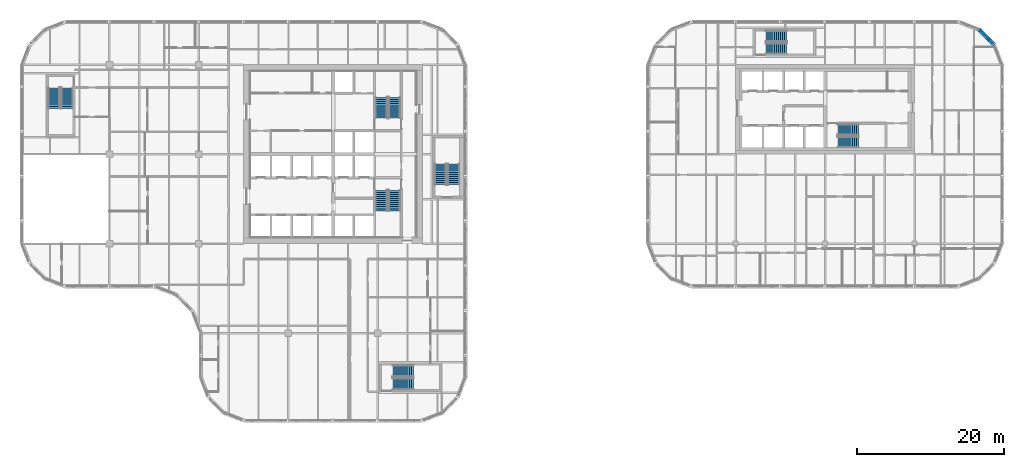
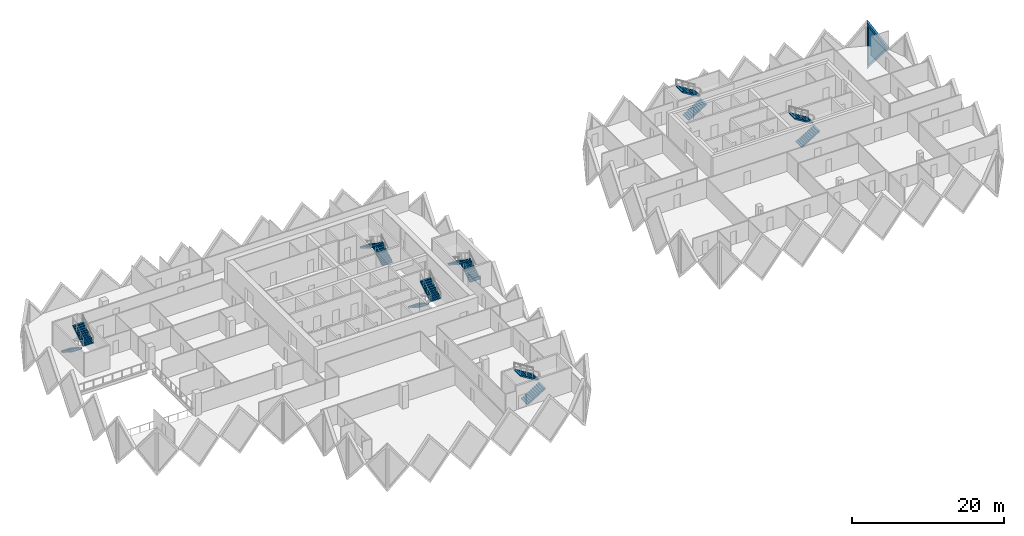
# One storey, part 17 of 19: 14 stair flights, 1 plate, 1 wall, 1 opening, 7 elements without a shape of their own.
"""IFC4 building model written with IfcOpenShell, lengths in metres."""

from ifc_helpers import new_model, si_unit, direction, frame, origin, place, context, subcontext, project, spatial, polyline, outline, extrude, faceted_brep, source, transform, mapped, material, layer, layer_set, type_object, element, fill, aggregate, save


model = new_model("IFC4")

# Units and contexts
model_context = context("Model", 3, precision=1e-05, world=origin(), true_north=direction((0.0, 1.0)))
body_context = subcontext(model_context, "Body", "Model", "MODEL_VIEW")
ifc_project = project(units=[si_unit("LENGTHUNIT", "METRE"), si_unit("AREAUNIT", "SQUARE_METRE"), si_unit("VOLUMEUNIT", "CUBIC_METRE"), si_unit("PLANEANGLEUNIT", "RADIAN"), si_unit("MASSUNIT", "GRAM", prefix="KILO")], contexts=[model_context])

# Site, building, storey
site_placement = place(None, origin())
site = spatial("IfcSite", under=ifc_project, at=site_placement, CompositionType="ELEMENT")
building_placement = place(site_placement, origin())
building = spatial("IfcBuilding", under=site, at=building_placement, Name="Tessera Gate Towers", CompositionType="ELEMENT")
storey_placement = place(building_placement, frame((0.0, 0.0, 72.39990234375)))
storey = spatial("IfcBuildingStorey", under=building, at=storey_placement, Name="L17", CompositionType="ELEMENT", Elevation=72.39990234375)

# Wall, opening, plate
ifc_material_1 = material(Name="Precast concrete C60/75 white", Category="concrete")
ifc_layer_1 = layer(ifc_material_1, 0.5)
ifc_layer_set_1 = layer_set([ifc_layer_1], Name="TS3 corner tessera")
wall_type = type_object("IfcWallType", Name="TS3 corner tessera", PredefinedType="SOLIDWALL", material=ifc_layer_set_1)
shared_shape_1 = source(origin(), body_context, "Body", "Brep", [
    faceted_brep([(2.944091796875, -0.25, 0.0), (2.9970703125, -0.25, 0.068115234375), (2.9970703125, -0.25, 7.53173828125), (2.944091796875, -0.25, 7.599853515625), (0.0, -0.25, 3.7998046875), (0.052978515625, 0.25, 3.8681640625), (2.89111328125, 0.25, 7.53173828125), (2.89111328125, 0.25, 0.068115234375), (0.052978515625, 0.25, 3.7314453125), (2.944091796875, 0.000244140625, 0.0), (2.944091796875, 0.000244140625, 7.599853515625), (0.0, 0.0, 3.7998046875)], [[[0, 1, 2, 3, 4]], [[5, 6, 7, 8]], [[1, 0, 9]], [[10, 3, 2]], [[6, 5, 11, 4, 3, 10]], [[8, 7, 9, 0, 4, 11]], [[8, 11, 5]], [[1, 9, 7, 6, 10, 2]]]),
])
wall_placement = place(storey_placement, frame((132.88818359375, 51.50634765625, -3.7998046875), z_axis=(0.0, 0.0, 1.0), x_axis=(-0.707147509625, 0.707066050402, 0.0)))
wall = element("IfcWall", 1, at=wall_placement, inside=storey, type_object=wall_type, Name="Precast corner tessera T2 TS3-0247", PredefinedType="SOLIDWALL", context=body_context, shape_type="MappedRepresentation", body=[
    mapped(shared_shape_1, transform((0.0, 0.0, 0.0), scale=1.0)),
])
shared_shape_2 = source(origin(), body_context, "Body", "SweptSolid", [
    extrude(outline(polyline([(2.744140625, 6.93359375), (0.316162109375, 3.7998046875), (2.744140625, 0.666259765625), (2.744140625, 6.93359375)])), frame((0.0, 0.260009765625, 0.0), z_axis=(0.0, -1.0, 0.0), x_axis=(1.0, 0.0, 0.0)), (0.0, 0.0, 1.0), 0.52001953125),
])
opening_placement = place(wall_placement, origin())
opening = element("IfcOpeningElement", 2, at=opening_placement, cuts=wall, Name="Opening T2-PL2-0355", PredefinedType="OPENING", context=body_context, shape_type="MappedRepresentation", body=[
    mapped(shared_shape_2, transform((0.0, 0.0, 0.0), scale=1.0)),
])
ifc_material_2 = material(Name="Low-e laminated glass", Category="glass")
ifc_layer_2 = layer(ifc_material_2, 0.06005859375)
ifc_layer_set_2 = layer_set([ifc_layer_2], Name="PL2 rhombic pane")
plate_type = type_object("IfcPlateType", Name="PL2 rhombic pane", PredefinedType="SHEET", material=ifc_layer_set_2)
shared_shape_3 = source(origin(), body_context, "Body", "SweptSolid", [
    extrude(outline(polyline([(2.744140625, 6.93359375), (0.316162109375, 3.7998046875), (2.744140625, 0.666259765625), (2.744140625, 6.93359375)])), frame((0.0, 0.030029296875, 0.0), z_axis=(0.0, -1.0, 0.0), x_axis=(1.0, 0.0, 0.0)), (0.0, 0.0, 1.0), 0.06005859375),
])
plate_placement = place(opening_placement, origin())
plate = element("IfcPlate", 3, at=plate_placement, inside=storey, type_object=plate_type, Name="Glass pane T2 PL2-0355", PredefinedType="SHEET", context=body_context, shape_type="MappedRepresentation", body=[
    mapped(shared_shape_3, transform((0.0, 0.0, 0.0), scale=1.0)),
])
fill(opening, plate)

# Stair, stair flights
ifc_material_3 = material(Name="Concrete C40/50", Category="concrete")
stair_type_1 = type_object("IfcStairType", Name="EXIT STAIR ST1 1600", PredefinedType="HALF_TURN_STAIR", material=ifc_material_3)
stair_1_placement = place(storey_placement, origin())
stair_1 = element("IfcStair", 4, at=stair_1_placement, inside=storey, type_object=stair_type_1, Name="L17 Protected Exit Stair ST1", PredefinedType="HALF_TURN_STAIR")
ifc_material_4 = material(Name="Concrete C40/50", Category="concrete")
stair_flight_type_1 = type_object("IfcStairFlightType", Name="EXIT STAIR FLIGHT ST1 1600", PredefinedType="STRAIGHT", material=ifc_material_4)
stair_flight_1_placement = place(storey_placement, frame((49.27490234375, 31.675048828125, 0.0), z_axis=(0.0, 0.0, 1.0), x_axis=(0.0, -1.0, 0.0)))
stair_flight_1 = element("IfcStairFlight", 5, at=stair_flight_1_placement, type_object=stair_flight_type_1, Name="ST1 flight 1", NumberOfRisers=11, NumberOfTreads=10, PredefinedType="STRAIGHT", RiserHeight=0.172727273, TreadLength=0.28, context=body_context, shape_type="SweptSolid", body=[
    extrude(outline(polyline([(0.0, 0.0), (0.0, 0.172607421875), (0.280029296875, 0.172607421875), (0.280029296875, 0.345458984375), (0.56005859375, 0.345458984375), (0.56005859375, 0.51806640625), (0.840087890625, 0.51806640625), (0.840087890625, 0.69091796875), (1.1201171875, 0.69091796875), (1.1201171875, 0.863525390625), (1.39990234375, 0.863525390625), (1.39990234375, 1.036376953125), (1.679931640625, 1.036376953125), (1.679931640625, 1.208984375), (1.9599609375, 1.208984375), (1.9599609375, 1.3818359375), (2.239990234375, 1.3818359375), (2.239990234375, 1.554443359375), (2.52001953125, 1.554443359375), (2.52001953125, 1.727294921875), (2.800048828125, 1.727294921875), (2.800048828125, 1.89990234375), (2.800048828125, 1.551025390625), (0.285400390625, 0.0), (0.0, 0.0)])), frame((0.0, 0.800048828125, 0.0), z_axis=(0.0, -1.0, 0.0), x_axis=(1.0, 0.0, 0.0)), (0.0, 0.0, 1.0), 1.60009765625),
])
stair_flight_2_placement = place(storey_placement, frame((51.074951171875, 28.875, 1.900146484375), z_axis=(0.0, 0.0, 1.0), x_axis=(0.0, 1.0, 0.0)))
stair_flight_2 = element("IfcStairFlight", 6, at=stair_flight_2_placement, type_object=stair_flight_type_1, Name="ST1 flight 2", NumberOfRisers=11, NumberOfTreads=10, PredefinedType="STRAIGHT", RiserHeight=0.172727273, TreadLength=0.28, context=body_context, shape_type="SweptSolid", body=[
    extrude(outline(polyline([(0.0, 0.0), (0.0, 0.172607421875), (0.280029296875, 0.172607421875), (0.280029296875, 0.345458984375), (0.56005859375, 0.345458984375), (0.56005859375, 0.51806640625), (0.840087890625, 0.51806640625), (0.840087890625, 0.69091796875), (1.1201171875, 0.69091796875), (1.1201171875, 0.863525390625), (1.39990234375, 0.863525390625), (1.39990234375, 1.036376953125), (1.679931640625, 1.036376953125), (1.679931640625, 1.208984375), (1.9599609375, 1.208984375), (1.9599609375, 1.3818359375), (2.239990234375, 1.3818359375), (2.239990234375, 1.554443359375), (2.52001953125, 1.554443359375), (2.52001953125, 1.727294921875), (2.800048828125, 1.727294921875), (2.800048828125, 1.89990234375), (2.800048828125, 1.551025390625), (0.285400390625, 0.0), (0.0, 0.0)])), frame((0.0, 0.800048828125, 0.0), z_axis=(0.0, -1.0, 0.0), x_axis=(1.0, 0.0, 0.0)), (0.0, 0.0, 1.0), 1.60009765625),
])
aggregate(stair_1, [stair_flight_1, stair_flight_2])

ifc_material_5 = material(Name="Concrete C40/50", Category="concrete")
stair_type_2 = type_object("IfcStairType", Name="EXIT STAIR ST2 1600", PredefinedType="HALF_TURN_STAIR", material=ifc_material_5)
stair_2_placement = place(storey_placement, origin())
stair_2 = element("IfcStair", 7, at=stair_2_placement, inside=storey, type_object=stair_type_2, Name="L17 Protected Exit Stair ST2", PredefinedType="HALF_TURN_STAIR")
ifc_material_6 = material(Name="Concrete C40/50", Category="concrete")
stair_flight_type_2 = type_object("IfcStairFlightType", Name="EXIT STAIR FLIGHT ST2 1600", PredefinedType="STRAIGHT", material=ifc_material_6)
stair_flight_3_placement = place(storey_placement, frame((51.074951171875, 41.52490234375, 0.0), z_axis=(0.0, 0.0, 1.0), x_axis=(0.0, 1.0, 0.0)))
stair_flight_3 = element("IfcStairFlight", 8, at=stair_flight_3_placement, type_object=stair_flight_type_2, Name="ST2 flight 1", NumberOfRisers=11, NumberOfTreads=10, PredefinedType="STRAIGHT", RiserHeight=0.172727273, TreadLength=0.28, context=body_context, shape_type="SweptSolid", body=[
    extrude(outline(polyline([(0.0, 0.0), (0.0, 0.172607421875), (0.280029296875, 0.172607421875), (0.280029296875, 0.345458984375), (0.56005859375, 0.345458984375), (0.56005859375, 0.51806640625), (0.840087890625, 0.51806640625), (0.840087890625, 0.69091796875), (1.1201171875, 0.69091796875), (1.1201171875, 0.863525390625), (1.39990234375, 0.863525390625), (1.39990234375, 1.036376953125), (1.679931640625, 1.036376953125), (1.679931640625, 1.208984375), (1.9599609375, 1.208984375), (1.9599609375, 1.3818359375), (2.239990234375, 1.3818359375), (2.239990234375, 1.554443359375), (2.52001953125, 1.554443359375), (2.52001953125, 1.727294921875), (2.800048828125, 1.727294921875), (2.800048828125, 1.89990234375), (2.800048828125, 1.551025390625), (0.285400390625, 0.0), (0.0, 0.0)])), frame((0.0, 0.800048828125, 0.0), z_axis=(0.0, -1.0, 0.0), x_axis=(1.0, 0.0, 0.0)), (0.0, 0.0, 1.0), 1.60009765625),
])
stair_flight_4_placement = place(storey_placement, frame((49.27490234375, 44.324951171875, 1.900146484375), z_axis=(0.0, 0.0, 1.0), x_axis=(0.0, -1.0, 0.0)))
stair_flight_4 = element("IfcStairFlight", 9, at=stair_flight_4_placement, type_object=stair_flight_type_2, Name="ST2 flight 2", NumberOfRisers=11, NumberOfTreads=10, PredefinedType="STRAIGHT", RiserHeight=0.172727273, TreadLength=0.28, context=body_context, shape_type="SweptSolid", body=[
    extrude(outline(polyline([(0.0, 0.0), (0.0, 0.172607421875), (0.280029296875, 0.172607421875), (0.280029296875, 0.345458984375), (0.56005859375, 0.345458984375), (0.56005859375, 0.51806640625), (0.840087890625, 0.51806640625), (0.840087890625, 0.69091796875), (1.1201171875, 0.69091796875), (1.1201171875, 0.863525390625), (1.39990234375, 0.863525390625), (1.39990234375, 1.036376953125), (1.679931640625, 1.036376953125), (1.679931640625, 1.208984375), (1.9599609375, 1.208984375), (1.9599609375, 1.3818359375), (2.239990234375, 1.3818359375), (2.239990234375, 1.554443359375), (2.52001953125, 1.554443359375), (2.52001953125, 1.727294921875), (2.800048828125, 1.727294921875), (2.800048828125, 1.89990234375), (2.800048828125, 1.551025390625), (0.285400390625, 0.0), (0.0, 0.0)])), frame((0.0, 0.800048828125, 0.0), z_axis=(0.0, -1.0, 0.0), x_axis=(1.0, 0.0, 0.0)), (0.0, 0.0, 1.0), 1.60009765625),
])
aggregate(stair_2, [stair_flight_3, stair_flight_4])

ifc_material_7 = material(Name="Concrete C40/50", Category="concrete")
stair_type_3 = type_object("IfcStairType", Name="EXIT STAIR ST3 1600", PredefinedType="HALF_TURN_STAIR", material=ifc_material_7)
stair_3_placement = place(storey_placement, origin())
stair_3 = element("IfcStair", 10, at=stair_3_placement, inside=storey, type_object=stair_type_3, Name="L17 West Exit Stair ST3", PredefinedType="HALF_TURN_STAIR")
ifc_material_8 = material(Name="Concrete C40/50", Category="concrete")
stair_flight_type_3 = type_object("IfcStairFlightType", Name="EXIT STAIR FLIGHT ST3 1600", PredefinedType="STRAIGHT", material=ifc_material_8)
stair_flight_5_placement = place(storey_placement, frame((4.64990234375, 45.64990234375, 0.0), z_axis=(0.0, 0.0, 1.0), x_axis=(0.0, -1.0, 0.0)))
stair_flight_5 = element("IfcStairFlight", 11, at=stair_flight_5_placement, type_object=stair_flight_type_3, Name="ST3 flight 1", NumberOfRisers=11, NumberOfTreads=10, PredefinedType="STRAIGHT", RiserHeight=0.172727273, TreadLength=0.28, context=body_context, shape_type="SweptSolid", body=[
    extrude(outline(polyline([(0.0, 0.0), (0.0, 0.172607421875), (0.280029296875, 0.172607421875), (0.280029296875, 0.345458984375), (0.56005859375, 0.345458984375), (0.56005859375, 0.51806640625), (0.840087890625, 0.51806640625), (0.840087890625, 0.69091796875), (1.1201171875, 0.69091796875), (1.1201171875, 0.863525390625), (1.39990234375, 0.863525390625), (1.39990234375, 1.036376953125), (1.679931640625, 1.036376953125), (1.679931640625, 1.208984375), (1.9599609375, 1.208984375), (1.9599609375, 1.3818359375), (2.239990234375, 1.3818359375), (2.239990234375, 1.554443359375), (2.52001953125, 1.554443359375), (2.52001953125, 1.727294921875), (2.800048828125, 1.727294921875), (2.800048828125, 1.89990234375), (2.800048828125, 1.551025390625), (0.285400390625, 0.0), (0.0, 0.0)])), frame((0.0, 0.800048828125, 0.0), z_axis=(0.0, -1.0, 0.0), x_axis=(1.0, 0.0, 0.0)), (0.0, 0.0, 1.0), 1.60009765625),
])
stair_flight_6_placement = place(storey_placement, frame((6.449951171875, 42.85009765625, 1.900146484375), z_axis=(0.0, 0.0, 1.0), x_axis=(0.0, 1.0, 0.0)))
stair_flight_6 = element("IfcStairFlight", 12, at=stair_flight_6_placement, type_object=stair_flight_type_3, Name="ST3 flight 2", NumberOfRisers=11, NumberOfTreads=10, PredefinedType="STRAIGHT", RiserHeight=0.172727273, TreadLength=0.28, context=body_context, shape_type="SweptSolid", body=[
    extrude(outline(polyline([(0.0, 0.0), (0.0, 0.172607421875), (0.280029296875, 0.172607421875), (0.280029296875, 0.345458984375), (0.56005859375, 0.345458984375), (0.56005859375, 0.51806640625), (0.840087890625, 0.51806640625), (0.840087890625, 0.69091796875), (1.1201171875, 0.69091796875), (1.1201171875, 0.863525390625), (1.39990234375, 0.863525390625), (1.39990234375, 1.036376953125), (1.679931640625, 1.036376953125), (1.679931640625, 1.208984375), (1.9599609375, 1.208984375), (1.9599609375, 1.3818359375), (2.239990234375, 1.3818359375), (2.239990234375, 1.554443359375), (2.52001953125, 1.554443359375), (2.52001953125, 1.727294921875), (2.800048828125, 1.727294921875), (2.800048828125, 1.89990234375), (2.800048828125, 1.551025390625), (0.285400390625, 0.0), (0.0, 0.0)])), frame((0.0, 0.800048828125, 0.0), z_axis=(0.0, -1.0, 0.0), x_axis=(1.0, 0.0, 0.0)), (0.0, 0.0, 1.0), 1.60009765625),
])
aggregate(stair_3, [stair_flight_5, stair_flight_6])

ifc_material_9 = material(Name="Concrete C40/50", Category="concrete")
stair_type_4 = type_object("IfcStairType", Name="EXIT STAIR ST4 1600", PredefinedType="HALF_TURN_STAIR", material=ifc_material_9)
stair_4_placement = place(storey_placement, origin())
stair_4 = element("IfcStair", 13, at=stair_4_placement, inside=storey, type_object=stair_type_4, Name="L17 South Exit Stair ST4", PredefinedType="HALF_TURN_STAIR")
ifc_material_10 = material(Name="Concrete C40/50", Category="concrete")
stair_flight_type_4 = type_object("IfcStairFlightType", Name="EXIT STAIR FLIGHT ST4 1600", PredefinedType="STRAIGHT", material=ifc_material_10)
stair_flight_7_placement = place(storey_placement, frame((50.85009765625, 5.25, 0.0), z_axis=(0.0, 0.0, 1.0), x_axis=(1.0, 0.0, 0.0)))
stair_flight_7 = element("IfcStairFlight", 14, at=stair_flight_7_placement, type_object=stair_flight_type_4, Name="ST4 flight 1", NumberOfRisers=11, NumberOfTreads=10, PredefinedType="STRAIGHT", RiserHeight=0.172727273, TreadLength=0.28, context=body_context, shape_type="SweptSolid", body=[
    extrude(outline(polyline([(0.0, 0.0), (0.0, 0.172607421875), (0.280029296875, 0.172607421875), (0.280029296875, 0.345458984375), (0.56005859375, 0.345458984375), (0.56005859375, 0.51806640625), (0.840087890625, 0.51806640625), (0.840087890625, 0.69091796875), (1.1201171875, 0.69091796875), (1.1201171875, 0.863525390625), (1.39990234375, 0.863525390625), (1.39990234375, 1.036376953125), (1.679931640625, 1.036376953125), (1.679931640625, 1.208984375), (1.9599609375, 1.208984375), (1.9599609375, 1.3818359375), (2.239990234375, 1.3818359375), (2.239990234375, 1.554443359375), (2.52001953125, 1.554443359375), (2.52001953125, 1.727294921875), (2.800048828125, 1.727294921875), (2.800048828125, 1.89990234375), (2.800048828125, 1.551025390625), (0.285400390625, 0.0), (0.0, 0.0)])), frame((0.0, 0.800048828125, 0.0), z_axis=(0.0, -1.0, 0.0), x_axis=(1.0, 0.0, 0.0)), (0.0, 0.0, 1.0), 1.60009765625),
])
stair_flight_8_placement = place(storey_placement, frame((53.64990234375, 7.050048828125, 1.900146484375), z_axis=(0.0, 0.0, 1.0), x_axis=(-1.0, 0.0, 0.0)))
stair_flight_8 = element("IfcStairFlight", 15, at=stair_flight_8_placement, type_object=stair_flight_type_4, Name="ST4 flight 2", NumberOfRisers=11, NumberOfTreads=10, PredefinedType="STRAIGHT", RiserHeight=0.172727273, TreadLength=0.28, context=body_context, shape_type="SweptSolid", body=[
    extrude(outline(polyline([(0.0, 0.0), (0.0, 0.172607421875), (0.280029296875, 0.172607421875), (0.280029296875, 0.345458984375), (0.56005859375, 0.345458984375), (0.56005859375, 0.51806640625), (0.840087890625, 0.51806640625), (0.840087890625, 0.69091796875), (1.1201171875, 0.69091796875), (1.1201171875, 0.863525390625), (1.39990234375, 0.863525390625), (1.39990234375, 1.036376953125), (1.679931640625, 1.036376953125), (1.679931640625, 1.208984375), (1.9599609375, 1.208984375), (1.9599609375, 1.3818359375), (2.239990234375, 1.3818359375), (2.239990234375, 1.554443359375), (2.52001953125, 1.554443359375), (2.52001953125, 1.727294921875), (2.800048828125, 1.727294921875), (2.800048828125, 1.89990234375), (2.800048828125, 1.551025390625), (0.285400390625, 0.0), (0.0, 0.0)])), frame((0.0, 0.800048828125, 0.0), z_axis=(0.0, -1.0, 0.0), x_axis=(1.0, 0.0, 0.0)), (0.0, 0.0, 1.0), 1.60009765625),
])
aggregate(stair_4, [stair_flight_7, stair_flight_8])

ifc_material_11 = material(Name="Concrete C40/50", Category="concrete")
stair_type_5 = type_object("IfcStairType", Name="EXIT STAIR ST5 1600", PredefinedType="HALF_TURN_STAIR", material=ifc_material_11)
stair_5_placement = place(storey_placement, origin())
stair_5 = element("IfcStair", 16, at=stair_5_placement, inside=storey, type_object=stair_type_5, Name="L17 East Exit Stair ST5", PredefinedType="HALF_TURN_STAIR")
ifc_material_12 = material(Name="Concrete C40/50", Category="concrete")
stair_flight_type_5 = type_object("IfcStairFlightType", Name="EXIT STAIR FLIGHT ST5 1600", PredefinedType="STRAIGHT", material=ifc_material_12)
stair_flight_9_placement = place(storey_placement, frame((59.14990234375, 32.449951171875, 0.0), z_axis=(0.0, 0.0, 1.0), x_axis=(0.0, 1.0, 0.0)))
stair_flight_9 = element("IfcStairFlight", 17, at=stair_flight_9_placement, type_object=stair_flight_type_5, Name="ST5 flight 1", NumberOfRisers=11, NumberOfTreads=10, PredefinedType="STRAIGHT", RiserHeight=0.172727273, TreadLength=0.28, context=body_context, shape_type="SweptSolid", body=[
    extrude(outline(polyline([(0.0, 0.0), (0.0, 0.172607421875), (0.280029296875, 0.172607421875), (0.280029296875, 0.345458984375), (0.56005859375, 0.345458984375), (0.56005859375, 0.51806640625), (0.840087890625, 0.51806640625), (0.840087890625, 0.69091796875), (1.1201171875, 0.69091796875), (1.1201171875, 0.863525390625), (1.39990234375, 0.863525390625), (1.39990234375, 1.036376953125), (1.679931640625, 1.036376953125), (1.679931640625, 1.208984375), (1.9599609375, 1.208984375), (1.9599609375, 1.3818359375), (2.239990234375, 1.3818359375), (2.239990234375, 1.554443359375), (2.52001953125, 1.554443359375), (2.52001953125, 1.727294921875), (2.800048828125, 1.727294921875), (2.800048828125, 1.89990234375), (2.800048828125, 1.551025390625), (0.285400390625, 0.0), (0.0, 0.0)])), frame((0.0, 0.800048828125, 0.0), z_axis=(0.0, -1.0, 0.0), x_axis=(1.0, 0.0, 0.0)), (0.0, 0.0, 1.0), 1.60009765625),
])
stair_flight_10_placement = place(storey_placement, frame((57.35009765625, 35.25, 1.900146484375), z_axis=(0.0, 0.0, 1.0), x_axis=(0.0, -1.0, 0.0)))
stair_flight_10 = element("IfcStairFlight", 18, at=stair_flight_10_placement, type_object=stair_flight_type_5, Name="ST5 flight 2", NumberOfRisers=11, NumberOfTreads=10, PredefinedType="STRAIGHT", RiserHeight=0.172727273, TreadLength=0.28, context=body_context, shape_type="SweptSolid", body=[
    extrude(outline(polyline([(0.0, 0.0), (0.0, 0.172607421875), (0.280029296875, 0.172607421875), (0.280029296875, 0.345458984375), (0.56005859375, 0.345458984375), (0.56005859375, 0.51806640625), (0.840087890625, 0.51806640625), (0.840087890625, 0.69091796875), (1.1201171875, 0.69091796875), (1.1201171875, 0.863525390625), (1.39990234375, 0.863525390625), (1.39990234375, 1.036376953125), (1.679931640625, 1.036376953125), (1.679931640625, 1.208984375), (1.9599609375, 1.208984375), (1.9599609375, 1.3818359375), (2.239990234375, 1.3818359375), (2.239990234375, 1.554443359375), (2.52001953125, 1.554443359375), (2.52001953125, 1.727294921875), (2.800048828125, 1.727294921875), (2.800048828125, 1.89990234375), (2.800048828125, 1.551025390625), (0.285400390625, 0.0), (0.0, 0.0)])), frame((0.0, 0.800048828125, 0.0), z_axis=(0.0, -1.0, 0.0), x_axis=(1.0, 0.0, 0.0)), (0.0, 0.0, 1.0), 1.60009765625),
])
aggregate(stair_5, [stair_flight_9, stair_flight_10])

ifc_material_13 = material(Name="Concrete C40/50", Category="concrete")
stair_type_6 = type_object("IfcStairType", Name="EXIT STAIR ST6 1500", PredefinedType="HALF_TURN_STAIR", material=ifc_material_13)
stair_6_placement = place(storey_placement, origin())
stair_6 = element("IfcStair", 19, at=stair_6_placement, inside=storey, type_object=stair_type_6, Name="L17 Protected Exit Stair ST6", PredefinedType="HALF_TURN_STAIR")
ifc_material_14 = material(Name="Concrete C40/50", Category="concrete")
stair_flight_type_6 = type_object("IfcStairFlightType", Name="EXIT STAIR FLIGHT ST6 1500", PredefinedType="STRAIGHT", material=ifc_material_14)
stair_flight_11_placement = place(storey_placement, frame((111.550048828125, 38.25, 0.0), z_axis=(0.0, 0.0, 1.0), x_axis=(1.0, 0.0, 0.0)))
stair_flight_11 = element("IfcStairFlight", 20, at=stair_flight_11_placement, type_object=stair_flight_type_6, Name="ST6 flight 1", NumberOfRisers=11, NumberOfTreads=10, PredefinedType="STRAIGHT", RiserHeight=0.172727273, TreadLength=0.28, context=body_context, shape_type="SweptSolid", body=[
    extrude(outline(polyline([(0.0, 0.0), (0.0, 0.172607421875), (0.280029296875, 0.172607421875), (0.280029296875, 0.345458984375), (0.56005859375, 0.345458984375), (0.56005859375, 0.51806640625), (0.840087890625, 0.51806640625), (0.840087890625, 0.69091796875), (1.1201171875, 0.69091796875), (1.1201171875, 0.863525390625), (1.39990234375, 0.863525390625), (1.39990234375, 1.036376953125), (1.679931640625, 1.036376953125), (1.679931640625, 1.208984375), (1.9599609375, 1.208984375), (1.9599609375, 1.3818359375), (2.239990234375, 1.3818359375), (2.239990234375, 1.554443359375), (2.52001953125, 1.554443359375), (2.52001953125, 1.727294921875), (2.800048828125, 1.727294921875), (2.800048828125, 1.89990234375), (2.800048828125, 1.551025390625), (0.285400390625, 0.0), (0.0, 0.0)])), frame((0.0, 0.75, 0.0), z_axis=(0.0, -1.0, 0.0), x_axis=(1.0, 0.0, 0.0)), (0.0, 0.0, 1.0), 1.5),
])
stair_flight_12_placement = place(storey_placement, frame((114.35009765625, 39.949951171875, 1.900146484375), z_axis=(0.0, 0.0, 1.0), x_axis=(-1.0, 0.0, 0.0)))
stair_flight_12 = element("IfcStairFlight", 21, at=stair_flight_12_placement, type_object=stair_flight_type_6, Name="ST6 flight 2", NumberOfRisers=11, NumberOfTreads=10, PredefinedType="STRAIGHT", RiserHeight=0.172727273, TreadLength=0.28, context=body_context, shape_type="SweptSolid", body=[
    extrude(outline(polyline([(0.0, 0.0), (0.0, 0.172607421875), (0.280029296875, 0.172607421875), (0.280029296875, 0.345458984375), (0.56005859375, 0.345458984375), (0.56005859375, 0.51806640625), (0.840087890625, 0.51806640625), (0.840087890625, 0.69091796875), (1.1201171875, 0.69091796875), (1.1201171875, 0.863525390625), (1.39990234375, 0.863525390625), (1.39990234375, 1.036376953125), (1.679931640625, 1.036376953125), (1.679931640625, 1.208984375), (1.9599609375, 1.208984375), (1.9599609375, 1.3818359375), (2.239990234375, 1.3818359375), (2.239990234375, 1.554443359375), (2.52001953125, 1.554443359375), (2.52001953125, 1.727294921875), (2.800048828125, 1.727294921875), (2.800048828125, 1.89990234375), (2.800048828125, 1.551025390625), (0.285400390625, 0.0), (0.0, 0.0)])), frame((0.0, 0.75, 0.0), z_axis=(0.0, -1.0, 0.0), x_axis=(1.0, 0.0, 0.0)), (0.0, 0.0, 1.0), 1.5),
])
aggregate(stair_6, [stair_flight_11, stair_flight_12])

ifc_material_15 = material(Name="Concrete C40/50", Category="concrete")
stair_type_7 = type_object("IfcStairType", Name="EXIT STAIR ST7 1500", PredefinedType="HALF_TURN_STAIR", material=ifc_material_15)
stair_7_placement = place(storey_placement, origin())
stair_7 = element("IfcStair", 22, at=stair_7_placement, inside=storey, type_object=stair_type_7, Name="L17 North Exit Stair ST7", PredefinedType="HALF_TURN_STAIR")
ifc_material_16 = material(Name="Concrete C40/50", Category="concrete")
stair_flight_type_7 = type_object("IfcStairFlightType", Name="EXIT STAIR FLIGHT ST7 1500", PredefinedType="STRAIGHT", material=ifc_material_16)
stair_flight_13_placement = place(storey_placement, frame((101.75, 51.0, 0.0), z_axis=(0.0, 0.0, 1.0), x_axis=(1.0, 0.0, 0.0)))
stair_flight_13 = element("IfcStairFlight", 23, at=stair_flight_13_placement, type_object=stair_flight_type_7, Name="ST7 flight 1", NumberOfRisers=11, NumberOfTreads=10, PredefinedType="STRAIGHT", RiserHeight=0.172727273, TreadLength=0.28, context=body_context, shape_type="SweptSolid", body=[
    extrude(outline(polyline([(0.0, 0.0), (0.0, 0.172607421875), (0.280029296875, 0.172607421875), (0.280029296875, 0.345458984375), (0.56005859375, 0.345458984375), (0.56005859375, 0.51806640625), (0.840087890625, 0.51806640625), (0.840087890625, 0.69091796875), (1.1201171875, 0.69091796875), (1.1201171875, 0.863525390625), (1.39990234375, 0.863525390625), (1.39990234375, 1.036376953125), (1.679931640625, 1.036376953125), (1.679931640625, 1.208984375), (1.9599609375, 1.208984375), (1.9599609375, 1.3818359375), (2.239990234375, 1.3818359375), (2.239990234375, 1.554443359375), (2.52001953125, 1.554443359375), (2.52001953125, 1.727294921875), (2.800048828125, 1.727294921875), (2.800048828125, 1.89990234375), (2.800048828125, 1.551025390625), (0.285400390625, 0.0), (0.0, 0.0)])), frame((0.0, 0.75, 0.0), z_axis=(0.0, -1.0, 0.0), x_axis=(1.0, 0.0, 0.0)), (0.0, 0.0, 1.0), 1.5),
])
stair_flight_14_placement = place(storey_placement, frame((104.550048828125, 52.699951171875, 1.900146484375), z_axis=(0.0, 0.0, 1.0), x_axis=(-1.0, 0.0, 0.0)))
stair_flight_14 = element("IfcStairFlight", 24, at=stair_flight_14_placement, type_object=stair_flight_type_7, Name="ST7 flight 2", NumberOfRisers=11, NumberOfTreads=10, PredefinedType="STRAIGHT", RiserHeight=0.172727273, TreadLength=0.28, context=body_context, shape_type="SweptSolid", body=[
    extrude(outline(polyline([(0.0, 0.0), (0.0, 0.172607421875), (0.280029296875, 0.172607421875), (0.280029296875, 0.345458984375), (0.56005859375, 0.345458984375), (0.56005859375, 0.51806640625), (0.840087890625, 0.51806640625), (0.840087890625, 0.69091796875), (1.1201171875, 0.69091796875), (1.1201171875, 0.863525390625), (1.39990234375, 0.863525390625), (1.39990234375, 1.036376953125), (1.679931640625, 1.036376953125), (1.679931640625, 1.208984375), (1.9599609375, 1.208984375), (1.9599609375, 1.3818359375), (2.239990234375, 1.3818359375), (2.239990234375, 1.554443359375), (2.52001953125, 1.554443359375), (2.52001953125, 1.727294921875), (2.800048828125, 1.727294921875), (2.800048828125, 1.89990234375), (2.800048828125, 1.551025390625), (0.285400390625, 0.0), (0.0, 0.0)])), frame((0.0, 0.75, 0.0), z_axis=(0.0, -1.0, 0.0), x_axis=(1.0, 0.0, 0.0)), (0.0, 0.0, 1.0), 1.5),
])
aggregate(stair_7, [stair_flight_13, stair_flight_14])

save(model, "model.ifc")
